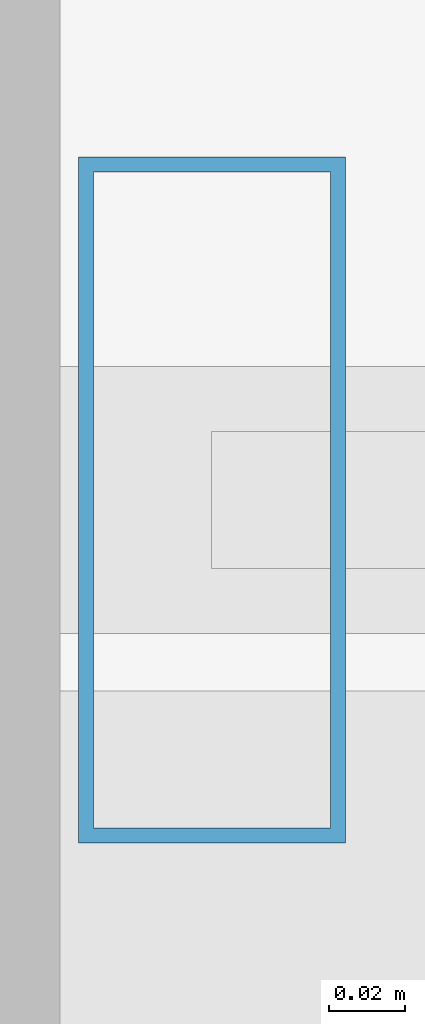
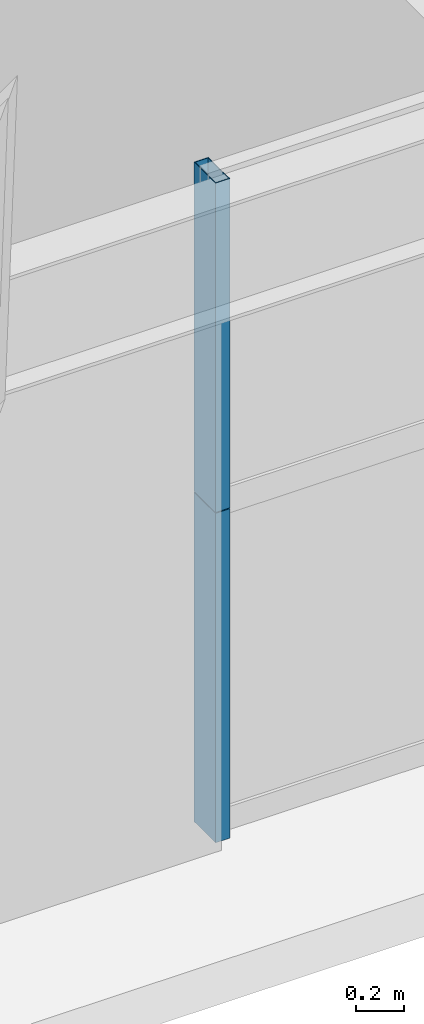
# One storey, part 4 of 42: 2 members, 1 element without a shape of its own.
"""IFC4 building model written with IfcOpenShell, lengths in metres."""

from ifc_helpers import new_model, si_unit, direction, frame, origin, origin_2d, place, context, subcontext, project, spatial, hollow_rectangle, extrude, source, transform, mapped, material, layer, layer_set, material_profile, profile_set, type_object, element, aggregate, save


model = new_model("IFC4")

# Units and contexts
model_context = context("Model", 3, precision=1e-05, world=origin(), true_north=direction((0.0, 1.0)))
body_context = subcontext(model_context, "Body", "Model", "MODEL_VIEW")
ifc_project = project(units=[si_unit("LENGTHUNIT", "METRE"), si_unit("AREAUNIT", "SQUARE_METRE"), si_unit("VOLUMEUNIT", "CUBIC_METRE"), si_unit("PLANEANGLEUNIT", "RADIAN"), si_unit("MASSUNIT", "GRAM", prefix="KILO"), si_unit("THERMODYNAMICTEMPERATUREUNIT", "KELVIN"), si_unit("POWERUNIT", "WATT")], contexts=[model_context])

# Site, building, storey
site_placement = place(None, origin())
site = spatial("IfcSite", under=ifc_project, at=site_placement, CompositionType="ELEMENT")
building_placement = place(site_placement, origin())
building = spatial("IfcBuilding", under=site, at=building_placement, Name="Yuzanri Waterfront Tower", CompositionType="ELEMENT")
storey_placement = place(building_placement, frame((0.0, 0.0, 145.199951171875)))
storey = spatial("IfcBuildingStorey", under=building, at=storey_placement, Name="L38", CompositionType="ELEMENT", Elevation=145.199951171875)

# Curtain wall, members
ifc_material_1 = material(Name="Anodized Architectural Bronze", Category="metal")
ifc_layer = layer(ifc_material_1, 0.159912109375)
ifc_layer_set = layer_set([ifc_layer], Name="Anodized Architectural Bronze")
curtain_wall_type = type_object("IfcCurtainWallType", Name="Anodized Bronze Hotel Upper-Tier Solar-Control Unitized Curtain Wall 7800", PredefinedType="NOTDEFINED", material=ifc_layer_set)
curtain_wall_placement = place(storey_placement, origin())
curtain_wall = element("IfcCurtainWall", 1, at=curtain_wall_placement, inside=storey, type_object=curtain_wall_type, Name="L38 Curtain Wall CW-L38-SL", PredefinedType="NOTDEFINED")
ifc_material_2 = material(Name="Anodized Architectural Bronze", Category="metal")
ifc_material_profile = material_profile(ifc_material_2, hollow_rectangle(XDim=0.070068359375, YDim=0.179931640625, WallThickness=0.00390625, at=origin_2d()), Name="CWM 70x180")
ifc_profile_set = profile_set([ifc_material_profile], Name="Anodized Architectural Bronze")
member_type = type_object("IfcMemberType", Name="Anodized Bronze Standard Curtain-Wall Mullion 70x180", PredefinedType="MULLION", material=ifc_profile_set)
shared_shape = source(origin(), body_context, "Body", "SweptSolid", [
    extrude(hollow_rectangle(XDim=0.070068359375, YDim=0.179931640625, WallThickness=0.00390625, at=origin_2d()), origin(), (0.0, 0.0, 1.0), 1.68798828125),
])
member_1_placement = place(storey_placement, frame((20.7900390625, 2.35009765625, 0.0), z_axis=(0.0, 0.0, 1.0), x_axis=(1.0, 0.0, 0.0)))
member_1 = element("IfcMember", 2, at=member_1_placement, type_object=member_type, Name="CW-L38-SL Lower Mullion 00", PredefinedType="MULLION", context=body_context, shape_type="MappedRepresentation", body=[
    mapped(shared_shape, transform((0.0, 0.0, 0.0), scale=1.0)),
])
member_2_placement = place(storey_placement, frame((20.7900390625, 2.35009765625, 1.692138671875), z_axis=(0.0, 0.0, 1.0), x_axis=(1.0, 0.0, 0.0)))
member_2 = element("IfcMember", 3, at=member_2_placement, type_object=member_type, Name="CW-L38-SL Upper Mullion 00", PredefinedType="MULLION", context=body_context, shape_type="MappedRepresentation", body=[
    mapped(shared_shape, transform((0.0, 0.0, 0.0), scale=1.0)),
])
aggregate(curtain_wall, [member_1, member_2])

save(model, "model.ifc")
